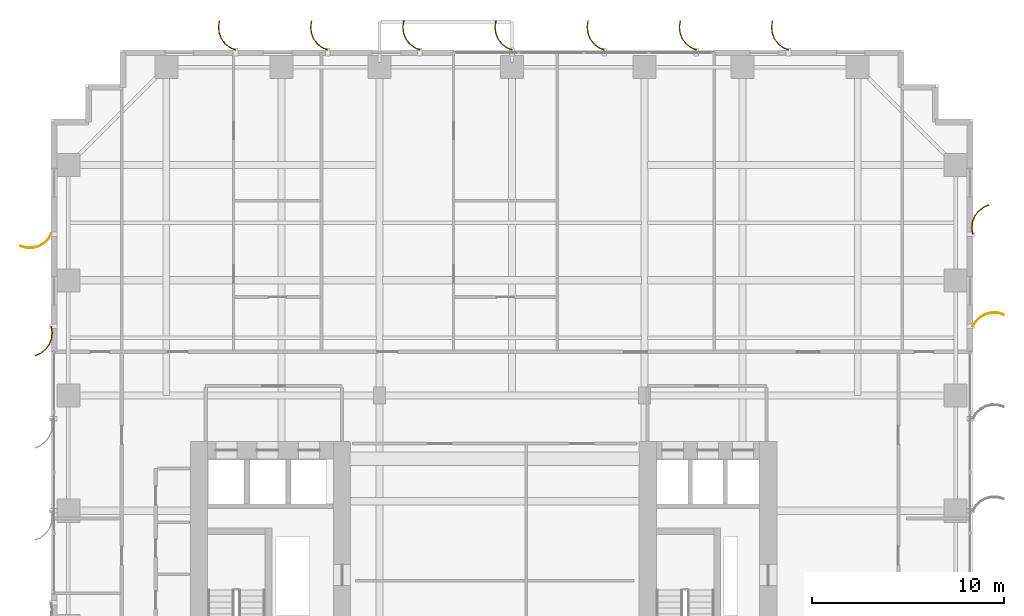
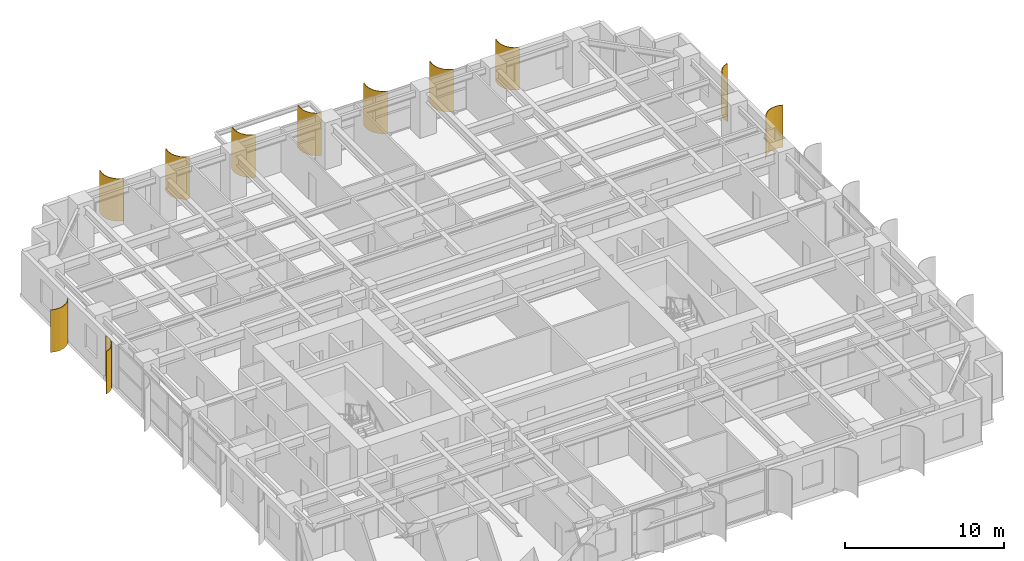
# One storey, part 22 of 22: 11 shading devices.
"""IFC4 building model written with IfcOpenShell, lengths in metres."""

from ifc_helpers import new_model, si_unit, direction, frame, origin, place, context, subcontext, project, spatial, polyline, outline, extrude, source, transform, mapped, material, layer, layer_set, type_object, element, save


model = new_model("IFC4")

# Units and contexts
model_context = context("Model", 3, precision=1e-05, world=origin(), true_north=direction((0.0, 1.0)))
body_context = subcontext(model_context, "Body", "Model", "MODEL_VIEW")
ifc_project = project(units=[si_unit("LENGTHUNIT", "METRE"), si_unit("AREAUNIT", "SQUARE_METRE"), si_unit("VOLUMEUNIT", "CUBIC_METRE"), si_unit("PLANEANGLEUNIT", "RADIAN"), si_unit("MASSUNIT", "GRAM", prefix="KILO")], contexts=[model_context])

# Site, building, storey
site_placement = place(None, origin())
site = spatial("IfcSite", under=ifc_project, at=site_placement, CompositionType="ELEMENT")
building_placement = place(site_placement, origin())
building = spatial("IfcBuilding", under=site, at=building_placement, Name="Khoralis Quay Care Tower", CompositionType="ELEMENT")
storey_placement = place(building_placement, frame((0.0, 0.0, 44.10009765625)))
storey = spatial("IfcBuildingStorey", under=building, at=storey_placement, Name="L11", CompositionType="ELEMENT", Elevation=44.10009765625)

# Shading devices
ifc_material = material(Name="Brushed pale anodised aluminium", Category="aluminium")
ifc_layer = layer(ifc_material, 0.044921875)
ifc_layer_set = layer_set([ifc_layer], Name="Brushed pale anodised aluminium")
shading_device_type = type_object("IfcShadingDeviceType", Name="SHD-FIN-1250", PredefinedType="USERDEFINED", material=ifc_layer_set)
shared_shape_1 = source(origin(), body_context, "Body", "SweptSolid", [
    extrude(outline(polyline([(0.0, 0.0), (0.130126953125, 0.29931640625), (0.333251953125, 0.5546875), (0.595458984375, 0.748779296875), (0.899169921875, 0.868408203125), (1.223388671875, 0.9052734375), (1.546142578125, 0.85693359375), (1.53369140625, 0.813720703125), (1.22265625, 0.8603515625), (0.91015625, 0.82470703125), (0.617431640625, 0.70947265625), (0.364501953125, 0.522216796875), (0.168701171875, 0.276123046875), (0.043212890625, -0.012451171875), (0.0, 0.0)])), origin(), (0.0, 0.0, 1.0), 3.259765625),
])
for number, where, z_axis, x_axis, name in (
    (1, (38.39990234375, 47.969970703125, 0.02001953125), (0.0, 0.0, 1.0), (0.0, 1.0, 0.0), "L11 Curved Solar Fin P1E10-01"),
    (2, (33.60009765625, 47.969970703125, 0.02001953125), (0.0, 0.0, 1.0), (0.0, 1.0, 0.0), "L11 Curved Solar Fin P1E10-02"),
    (3, (28.800048828125, 47.969970703125, 0.02001953125), (0.0, 0.0, 1.0), (0.0, 1.0, 0.0), "L11 Curved Solar Fin P1E10-03"),
    (4, (24.0, 47.969970703125, 0.02001953125), (0.0, 0.0, 1.0), (0.0, 1.0, 0.0), "L11 Curved Solar Fin P1E10-04"),
    (5, (19.199951171875, 47.969970703125, 0.02001953125), (0.0, 0.0, 1.0), (0.0, 1.0, 0.0), "L11 Curved Solar Fin P1E10-05"),
    (6, (14.39990234375, 47.969970703125, 0.02001953125), (0.0, 0.0, 1.0), (0.0, 1.0, 0.0), "L11 Curved Solar Fin P1E10-06"),
    (7, (9.60009765625, 47.969970703125, 0.02001953125), (0.0, 0.0, 1.0), (0.0, 1.0, 0.0), "L11 Curved Solar Fin P1E10-07"),
):
    element("IfcShadingDevice", number, at=place(storey_placement, frame(where, z_axis=z_axis, x_axis=x_axis)), inside=storey, type_object=shading_device_type, Name=name, ObjectType="FIN", PredefinedType="USERDEFINED", context=body_context, shape_type="MappedRepresentation", body=[
        mapped(shared_shape_1, transform((0.0, 0.0, 0.0), scale=1.0)),
    ])
shared_shape_2 = source(origin(), body_context, "Body", "SweptSolid", [
    extrude(outline(polyline([(0.0, 0.0), (0.17041015625, 0.2783203125), (0.4072265625, 0.5029296875), (0.694091796875, 0.658447265625), (1.01123046875, 0.734619140625), (1.33740234375, 0.72607421875), (1.650390625, 0.633544921875), (1.632080078125, 0.59228515625), (1.330322265625, 0.681640625), (1.015869140625, 0.68994140625), (0.710205078125, 0.616455078125), (0.43359375, 0.466552734375), (0.20556640625, 0.25), (0.041015625, -0.018310546875), (0.0, 0.0)])), origin(), (0.0, 0.0, 1.0), 3.259765625),
])
for number, where, z_axis, x_axis, name in (
    (8, (47.969970703125, 33.60009765625, 0.02001953125), (0.0, 0.0, 1.0), (1.0, 0.0, 0.0), "L11 Curved Solar Fin P1E5-06"),
    (9, (0.030029296875, 38.39990234375, 0.02001953125), (0.0, 0.0, 1.0), (-1.0, 0.0, 0.0), "L11 Curved Solar Fin P1E15-01"),
):
    element("IfcShadingDevice", number, at=place(storey_placement, frame(where, z_axis=z_axis, x_axis=x_axis)), inside=storey, type_object=shading_device_type, Name=name, ObjectType="FIN", PredefinedType="USERDEFINED", context=body_context, shape_type="MappedRepresentation", body=[
        mapped(shared_shape_2, transform((0.0, 0.0, 0.0), scale=1.0)),
    ])
shared_shape_3 = source(origin(), body_context, "Body", "SweptSolid", [
    extrude(outline(polyline([(0.0, 0.0), (-0.04833984375, 0.32275390625), (-0.01123046875, 0.64697265625), (0.1083984375, 0.950439453125), (0.302490234375, 1.212890625), (0.557861328125, 1.416015625), (0.85693359375, 1.546142578125), (0.869384765625, 1.5029296875), (0.5810546875, 1.37744140625), (0.334716796875, 1.181640625), (0.147705078125, 0.9287109375), (0.032470703125, 0.635986328125), (-0.003173828125, 0.323486328125), (0.043212890625, 0.012451171875), (0.0, 0.0)])), origin(), (0.0, 0.0, 1.0), 3.259765625),
])
for number, where, z_axis, x_axis, name in (
    (10, (47.969970703125, 38.39990234375, 0.02001953125), (0.0, 0.0, 1.0), (1.0, 0.0, 0.0), "L11 Curved Solar Fin P1E5-07"),
    (11, (0.030029296875, 33.60009765625, 0.02001953125), (0.0, 0.0, 1.0), (-1.0, 0.0, 0.0), "L11 Curved Solar Fin P1E15-02"),
):
    element("IfcShadingDevice", number, at=place(storey_placement, frame(where, z_axis=z_axis, x_axis=x_axis)), inside=storey, type_object=shading_device_type, Name=name, ObjectType="FIN", PredefinedType="USERDEFINED", context=body_context, shape_type="MappedRepresentation", body=[
        mapped(shared_shape_3, transform((0.0, 0.0, 0.0), scale=1.0)),
    ])

save(model, "model.ifc")
